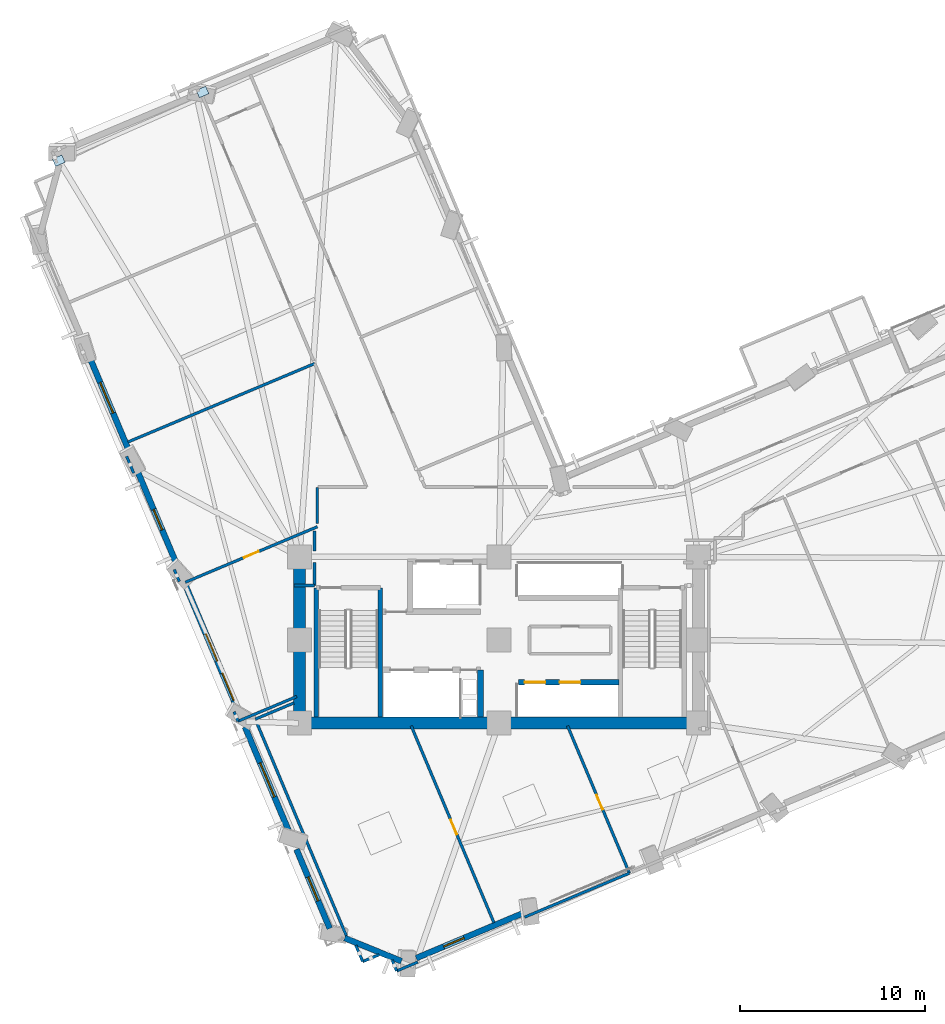
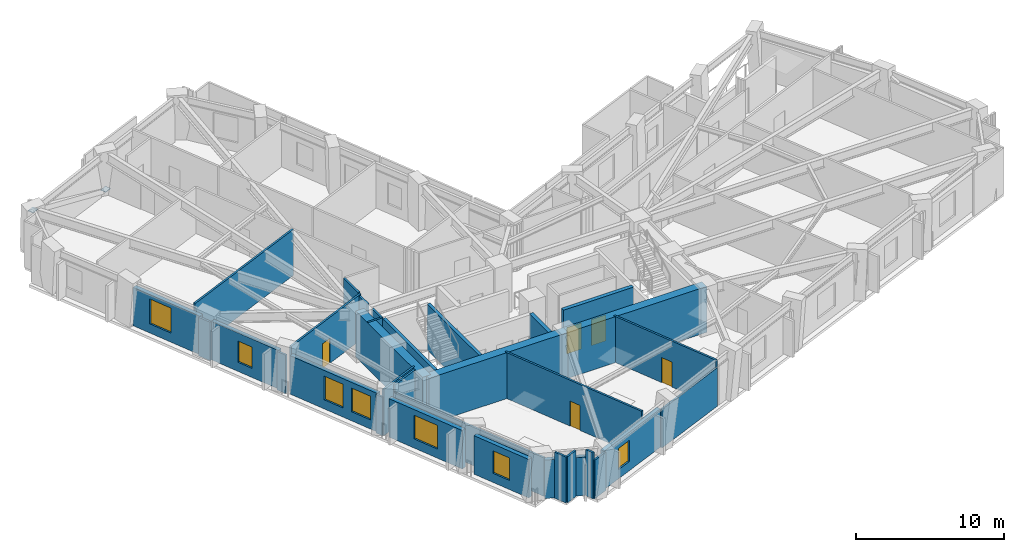
# One storey, part 10 of 18: 33 walls, 7 windows, 5 doors, 2 plates, 12 openings.
"""IFC4 building model written with IfcOpenShell, lengths in metres."""

from ifc_helpers import new_model, si_unit, direction, frame, frame_2d, origin, origin_2d, place, context, subcontext, project, spatial, rectangle, extrude, material, layer, layer_set, type_object, element, fill, save


model = new_model("IFC4")

# Units and contexts
model_context = context("Model", 3, precision=1e-05, world=origin(), true_north=direction((0.0, 1.0)))
body_context = subcontext(model_context, "Body", "Model", "MODEL_VIEW")
ifc_project = project(units=[si_unit("LENGTHUNIT", "METRE"), si_unit("AREAUNIT", "SQUARE_METRE"), si_unit("VOLUMEUNIT", "CUBIC_METRE"), si_unit("PLANEANGLEUNIT", "RADIAN"), si_unit("MASSUNIT", "GRAM", prefix="KILO")], contexts=[model_context])

# Site, building, storey
site_placement = place(None, origin())
site = spatial("IfcSite", under=ifc_project, at=site_placement, CompositionType="ELEMENT")
building_placement = place(site_placement, origin())
building = spatial("IfcBuilding", under=site, at=building_placement, Name="Gaonmaruhae Medical Tower", CompositionType="ELEMENT")
storey_placement = place(building_placement, frame((0.0, 0.0, 120.39990234375)))
storey = spatial("IfcBuildingStorey", under=building, at=storey_placement, Name="L28", CompositionType="ELEMENT", Elevation=120.39990234375)

# Plates
ifc_material_1 = material(Name="Steel HSA650 (650 MPa)", Category="steel")
ifc_layer_1 = layer(ifc_material_1, 0.028076171875)
ifc_layer_set_1 = layer_set([ifc_layer_1], Name="Steel HSA650 (650 MPa)")
plate_type = type_object("IfcPlateType", Name="GP-02 Tube Brace End Cap Gusset Plate", PredefinedType="USERDEFINED", material=ifc_layer_set_1)
for number, where, z_axis, x_axis, name in (
    (1, (8.757568359375, 41.96435546875, 0.23583984375), (0.0, 0.0, 1.0), (0.921863151589, 0.387515586452, 0.0), "L28 Gusset Cap Plate PLT-L28-PBR-N02A"),
    (2, (0.970703125, 38.24755859375, 3.51611328125), (0.0, 0.0, 1.0), (0.915311479119, 0.402746689859, 0.0), "L28 Gusset Cap Plate PLT-L28-PBR-N02B"),
):
    element("IfcPlate", number, at=place(storey_placement, frame(where, z_axis=z_axis, x_axis=x_axis)), inside=storey, type_object=plate_type, Name=name, ObjectType="GUSSET_PLATE", PredefinedType="USERDEFINED", context=body_context, shape_type="SweptSolid", body=[
        extrude(rectangle(XDim=0.56005859375, YDim=0.43994140625, at=origin_2d()), origin(), (0.0, 0.0, 1.0), 0.028076171875),
    ])

# Walls
ifc_material_2 = material(Name="Concrete C60/75", Category="concrete")
ifc_layer_2 = layer(ifc_material_2, 0.64990234375)
ifc_layer_set_2 = layer_set([ifc_layer_2], Name="Concrete C60/75")
wall_type_1 = type_object("IfcWallType", Name="CW-650 Zone 2 Core Shear Wall", PredefinedType="SHEAR", material=ifc_layer_set_2)
for number, where, z_axis, x_axis, name in (
    (3, (14.0, 7.800048828125, 0.0), (0.0, 0.0, 1.0), (1.0, 0.0, 0.0), "L28 Core Shear Wall CSW-S1"),
    (4, (24.800048828125, 7.800048828125, 0.0), (0.0, 0.0, 1.0), (1.0, 0.0, 0.0), "L28 Core Shear Wall CSW-S2"),
):
    element("IfcWall", number, at=place(storey_placement, frame(where, z_axis=z_axis, x_axis=x_axis)), inside=storey, type_object=wall_type_1, Name=name, PredefinedType="SHEAR", context=body_context, shape_type="SweptSolid", body=[
        extrude(rectangle(XDim=10.800048828125, YDim=0.64990234375, at=frame_2d((5.39990234375, 0.0))), origin(), (0.0, 0.0, 1.0), 3.780029296875),
    ])
wall_1_placement = place(storey_placement, frame((14.0, 16.800048828125, 0.0), z_axis=(0.0, 0.0, 1.0), x_axis=(0.0, -1.0, 0.0)))
element("IfcWall", 5, at=wall_1_placement, inside=storey, type_object=wall_type_1, Name="L28 Core Shear Wall CSW-W1", PredefinedType="SHEAR", context=body_context, shape_type="SweptSolid", body=[
    extrude(rectangle(XDim=9.0, YDim=0.64990234375, at=frame_2d((4.5, 0.0))), origin(), (0.0, 0.0, 1.0), 3.780029296875),
])

# Wall, opening, window
ifc_material_3 = material(Name="Precast concrete C45/55", Category="concrete")
ifc_layer_3 = layer(ifc_material_3, 0.320068359375)
ifc_layer_set_3 = layer_set([ifc_layer_3], Name="Precast concrete C45/55")
wall_type_2 = type_object("IfcWallType", Name="EW-320 Lower Precast Masonry-Frame Facade Wall", PredefinedType="SOLIDWALL", material=ifc_layer_set_3)
wall_2_placement = place(storey_placement, frame((26.0986328125, -2.489013671875, 0.0), z_axis=(0.0, 0.0, 1.0), x_axis=(-0.921849986863, -0.387546902608, 0.0)))
wall_2 = element("IfcWall", 6, at=wall_2_placement, inside=storey, type_object=wall_type_2, Name="L28 Precast Masonry-Frame Wall S01-S02", PredefinedType="SOLIDWALL", context=body_context, shape_type="SweptSolid", body=[
    extrude(rectangle(XDim=6.27001953125, YDim=0.320068359375, at=frame_2d((3.135009765625, 0.0))), origin(), (0.0, 0.0, 1.0), 3.1650390625),
])
opening_1_placement = place(wall_2_placement, frame((3.45166015625, 0.0, 0.75)))
opening_1 = element("IfcOpeningElement", 7, at=opening_1_placement, cuts=wall_2, Name="Opening WN-05", PredefinedType="OPENING", context=body_context, shape_type="SweptSolid", body=[
    extrude(rectangle(XDim=1.199951171875, YDim=1.75, at=frame_2d((0.60009765625, 0.875))), frame((0.0, 0.169921875, 0.0), z_axis=(0.0, -1.0, 0.0), x_axis=(1.0, 0.0, 0.0)), (0.0, 0.0, 1.0), 0.340087890625),
])
ifc_material_4 = material(Name="Anodised aluminium and Low-E double glazing", Category="aluminium")
window_type_1 = type_object("IfcWindowType", Name="WN-05 Support & Staff Punched Window 1200x1750", PartitioningType="SINGLE_PANEL", PredefinedType="WINDOW", material=ifc_material_4)
window_1_placement = place(opening_1_placement, origin())
window_1 = element("IfcWindow", 8, at=window_1_placement, inside=storey, type_object=window_type_1, Name="L28 Modular Facade Window S01", OverallHeight=1.75, OverallWidth=1.199951171875, PartitioningType="SINGLE_PANEL", PredefinedType="WINDOW", context=body_context, shape_type="SweptSolid", body=[
    extrude(rectangle(XDim=1.199951171875, YDim=1.75, at=frame_2d((0.60009765625, 0.875))), frame((0.0, 0.030029296875, 0.0), z_axis=(0.0, -1.0, 0.0), x_axis=(1.0, 0.0, 0.0)), (0.0, 0.0, 1.0), 0.06005859375),
])
fill(opening_1, window_1)

wall_3_placement = place(storey_placement, frame((4.860107421875, 22.33349609375, 0.0), z_axis=(0.0, 0.0, 1.0), x_axis=(-0.387490609288, 0.921873650623, 0.0)))
wall_3 = element("IfcWall", 9, at=wall_3_placement, inside=storey, type_object=wall_type_2, Name="L28 Precast Masonry-Frame Wall W02-W03", PredefinedType="SOLIDWALL", context=body_context, shape_type="SweptSolid", body=[
    extrude(rectangle(XDim=5.627685546875, YDim=0.320068359375, at=frame_2d((2.81396484375, 0.0))), origin(), (0.0, 0.0, 1.0), 3.1650390625),
])
opening_2_placement = place(wall_3_placement, frame((2.438232421875, 0.0, 0.75)))
opening_2 = element("IfcOpeningElement", 10, at=opening_2_placement, cuts=wall_3, Name="Opening WN-04", PredefinedType="OPENING", context=body_context, shape_type="SweptSolid", body=[
    extrude(rectangle(XDim=1.800048828125, YDim=2.050048828125, at=frame_2d((0.89990234375, 1.02490234375))), frame((0.0, 0.169921875, 0.0), z_axis=(0.0, -1.0, 0.0), x_axis=(1.0, 0.0, 0.0)), (0.0, 0.0, 1.0), 0.340087890625),
])
window_type_2 = type_object("IfcWindowType", Name="WN-04 Clinic & Consult Punched Window 1800x2050", PartitioningType="SINGLE_PANEL", PredefinedType="WINDOW", material=ifc_material_4)
window_2_placement = place(opening_2_placement, origin())
window_2 = element("IfcWindow", 11, at=window_2_placement, inside=storey, type_object=window_type_2, Name="L28 Modular Facade Window W02", OverallHeight=2.050048828125, OverallWidth=1.800048828125, PartitioningType="SINGLE_PANEL", PredefinedType="WINDOW", context=body_context, shape_type="SweptSolid", body=[
    extrude(rectangle(XDim=1.800048828125, YDim=2.050048828125, at=frame_2d((0.89990234375, 1.02490234375))), frame((0.0, 0.030029296875, 0.0), z_axis=(0.0, -1.0, 0.0), x_axis=(1.0, 0.0, 0.0)), (0.0, 0.0, 1.0), 0.06005859375),
])
fill(opening_2, window_2)

wall_4_placement = place(storey_placement, frame((7.435302734375, 16.207763671875, 0.0), z_axis=(0.0, 0.0, 1.0), x_axis=(-0.387540340387, 0.921852745601, 0.0)))
wall_4 = element("IfcWall", 12, at=wall_4_placement, inside=storey, type_object=wall_type_2, Name="L28 Precast Masonry-Frame Wall W03-W04", PredefinedType="SOLIDWALL", context=body_context, shape_type="SweptSolid", body=[
    extrude(rectangle(XDim=5.662109375, YDim=0.320068359375, at=frame_2d((2.8310546875, 0.0))), origin(), (0.0, 0.0, 1.0), 3.1650390625),
])
opening_3_placement = place(wall_4_placement, frame((2.22998046875, 0.0, 0.75)))
opening_3 = element("IfcOpeningElement", 13, at=opening_3_placement, cuts=wall_4, Name="Opening WN-05", PredefinedType="OPENING", context=body_context, shape_type="SweptSolid", body=[
    extrude(rectangle(XDim=1.199951171875, YDim=1.75, at=frame_2d((0.60009765625, 0.875))), frame((0.0, 0.169921875, 0.0), z_axis=(0.0, -1.0, 0.0), x_axis=(1.0, 0.0, 0.0)), (0.0, 0.0, 1.0), 0.340087890625),
])
window_3_placement = place(opening_3_placement, origin())
window_3 = element("IfcWindow", 14, at=window_3_placement, inside=storey, type_object=window_type_1, Name="L28 Modular Facade Window W03", OverallHeight=1.75, OverallWidth=1.199951171875, PartitioningType="SINGLE_PANEL", PredefinedType="WINDOW", context=body_context, shape_type="SweptSolid", body=[
    extrude(rectangle(XDim=1.199951171875, YDim=1.75, at=frame_2d((0.60009765625, 0.875))), frame((0.0, 0.030029296875, 0.0), z_axis=(0.0, -1.0, 0.0), x_axis=(1.0, 0.0, 0.0)), (0.0, 0.0, 1.0), 0.06005859375),
])
fill(opening_3, window_3)

# Wall, openings, windows
wall_5_placement = place(storey_placement, frame((10.671875, 8.508056640625, 0.0), z_axis=(0.0, 0.0, 1.0), x_axis=(-0.387524577065, 0.921859372231, 0.0)))
wall_5 = element("IfcWall", 15, at=wall_5_placement, inside=storey, type_object=wall_type_2, Name="L28 Precast Masonry-Frame Wall W04-W05", PredefinedType="SOLIDWALL", context=body_context, shape_type="SweptSolid", body=[
    extrude(rectangle(XDim=7.3603515625, YDim=0.320068359375, at=frame_2d((3.68017578125, 0.0))), origin(), (0.0, 0.0, 1.0), 3.1650390625),
])
opening_4_placement = place(wall_5_placement, frame((2.880859375, 0.0, 0.75)))
opening_4 = element("IfcOpeningElement", 16, at=opening_4_placement, cuts=wall_5, Name="Opening WN-01", PredefinedType="OPENING", context=body_context, shape_type="SweptSolid", body=[
    extrude(rectangle(XDim=1.60009765625, YDim=1.949951171875, at=frame_2d((0.800048828125, 0.97509765625))), frame((0.0, 0.169921875, 0.0), z_axis=(0.0, -1.0, 0.0), x_axis=(1.0, 0.0, 0.0)), (0.0, 0.0, 1.0), 0.340087890625),
])
opening_5_placement = place(wall_5_placement, frame((0.576171875, 0.0, 0.75)))
opening_5 = element("IfcOpeningElement", 17, at=opening_5_placement, cuts=wall_5, Name="Opening WN-01", PredefinedType="OPENING", context=body_context, shape_type="SweptSolid", body=[
    extrude(rectangle(XDim=1.60009765625, YDim=1.949951171875, at=frame_2d((0.800048828125, 0.97509765625))), frame((0.0, 0.169921875, 0.0), z_axis=(0.0, -1.0, 0.0), x_axis=(1.0, 0.0, 0.0)), (0.0, 0.0, 1.0), 0.340087890625),
])
window_type_3 = type_object("IfcWindowType", Name="WN-01 Ward Punched Acoustic Window 1600x1950", PartitioningType="SINGLE_PANEL", PredefinedType="WINDOW", material=ifc_material_4)
window_4_placement = place(opening_4_placement, origin())
window_4 = element("IfcWindow", 18, at=window_4_placement, inside=storey, type_object=window_type_3, Name="L28 Modular Facade Window W04", OverallHeight=1.949951171875, OverallWidth=1.60009765625, PartitioningType="SINGLE_PANEL", PredefinedType="WINDOW", context=body_context, shape_type="SweptSolid", body=[
    extrude(rectangle(XDim=1.60009765625, YDim=1.949951171875, at=frame_2d((0.800048828125, 0.97509765625))), frame((0.0, 0.030029296875, 0.0), z_axis=(0.0, -1.0, 0.0), x_axis=(1.0, 0.0, 0.0)), (0.0, 0.0, 1.0), 0.06005859375),
])
fill(opening_4, window_4)
window_5_placement = place(opening_5_placement, origin())
window_5 = element("IfcWindow", 19, at=window_5_placement, inside=storey, type_object=window_type_3, Name="L28 Modular Facade Window W04B", OverallHeight=1.949951171875, OverallWidth=1.60009765625, PartitioningType="SINGLE_PANEL", PredefinedType="WINDOW", context=body_context, shape_type="SweptSolid", body=[
    extrude(rectangle(XDim=1.60009765625, YDim=1.949951171875, at=frame_2d((0.800048828125, 0.97509765625))), frame((0.0, 0.030029296875, 0.0), z_axis=(0.0, -1.0, 0.0), x_axis=(1.0, 0.0, 0.0)), (0.0, 0.0, 1.0), 0.06005859375),
])
fill(opening_5, window_5)

# Wall, opening, window
wall_6_placement = place(storey_placement, frame((13.4658203125, 1.861572265625, 0.0), z_axis=(0.0, 0.0, 1.0), x_axis=(-0.387499238031, 0.921870023661, 0.0)))
wall_6 = element("IfcWall", 20, at=wall_6_placement, inside=storey, type_object=wall_type_2, Name="L28 Precast Masonry-Frame Wall W05-W06", PredefinedType="SOLIDWALL", context=body_context, shape_type="SweptSolid", body=[
    extrude(rectangle(XDim=6.2236328125, YDim=0.320068359375, at=frame_2d((3.11181640625, 0.0))), origin(), (0.0, 0.0, 1.0), 3.1650390625),
])
opening_6_placement = place(wall_6_placement, frame((2.1142578125, 0.0, 0.75)))
opening_6 = element("IfcOpeningElement", 21, at=opening_6_placement, cuts=wall_6, Name="Opening WN-02", PredefinedType="OPENING", context=body_context, shape_type="SweptSolid", body=[
    extrude(rectangle(XDim=2.0, YDim=1.949951171875, at=frame_2d((1.0, 0.97509765625))), frame((0.0, 0.169921875, 0.0), z_axis=(0.0, -1.0, 0.0), x_axis=(1.0, 0.0, 0.0)), (0.0, 0.0, 1.0), 0.340087890625),
])
window_type_4 = type_object("IfcWindowType", Name="WN-02 Double-Bed Ward Punched Window 2000x1950", PartitioningType="SINGLE_PANEL", PredefinedType="WINDOW", material=ifc_material_4)
window_6_placement = place(opening_6_placement, origin())
window_6 = element("IfcWindow", 22, at=window_6_placement, inside=storey, type_object=window_type_4, Name="L28 Modular Facade Window W05", OverallHeight=1.949951171875, OverallWidth=2.0, PartitioningType="SINGLE_PANEL", PredefinedType="WINDOW", context=body_context, shape_type="SweptSolid", body=[
    extrude(rectangle(XDim=2.0, YDim=1.949951171875, at=frame_2d((1.0, 0.97509765625))), frame((0.0, 0.030029296875, 0.0), z_axis=(0.0, -1.0, 0.0), x_axis=(1.0, 0.0, 0.0)), (0.0, 0.0, 1.0), 0.06005859375),
])
fill(opening_6, window_6)

wall_7_placement = place(storey_placement, frame((15.640869140625, -3.31298828125, 0.0), z_axis=(0.0, 0.0, 1.0), x_axis=(-0.387474499501, 0.921880421875, 0.0)))
wall_7 = element("IfcWall", 23, at=wall_7_placement, inside=storey, type_object=wall_type_2, Name="L28 Precast Masonry-Frame Wall W06-W07", PredefinedType="SOLIDWALL", context=body_context, shape_type="SweptSolid", body=[
    extrude(rectangle(XDim=4.6474609375, YDim=0.320068359375, at=frame_2d((2.32373046875, 0.0))), origin(), (0.0, 0.0, 1.0), 3.1650390625),
])
opening_7_placement = place(wall_7_placement, frame((1.626953125, 0.0, 0.75)))
opening_7 = element("IfcOpeningElement", 24, at=opening_7_placement, cuts=wall_7, Name="Opening WN-03", PredefinedType="OPENING", context=body_context, shape_type="SweptSolid", body=[
    extrude(rectangle(XDim=1.39990234375, YDim=1.85009765625, at=frame_2d((0.699951171875, 0.925048828125))), frame((0.0, 0.169921875, 0.0), z_axis=(0.0, -1.0, 0.0), x_axis=(1.0, 0.0, 0.0)), (0.0, 0.0, 1.0), 0.340087890625),
])
window_type_5 = type_object("IfcWindowType", Name="WN-03 Isolation Ward Punched Window 1400x1850", PartitioningType="SINGLE_PANEL", PredefinedType="WINDOW", material=ifc_material_4)
window_7_placement = place(opening_7_placement, origin())
window_7 = element("IfcWindow", 25, at=window_7_placement, inside=storey, type_object=window_type_5, Name="L28 Modular Facade Window W06", OverallHeight=1.85009765625, OverallWidth=1.39990234375, PartitioningType="SINGLE_PANEL", PredefinedType="WINDOW", context=body_context, shape_type="SweptSolid", body=[
    extrude(rectangle(XDim=1.39990234375, YDim=1.85009765625, at=frame_2d((0.699951171875, 0.925048828125))), frame((0.0, 0.030029296875, 0.0), z_axis=(0.0, -1.0, 0.0), x_axis=(1.0, 0.0, 0.0)), (0.0, 0.0, 1.0), 0.06005859375),
])
fill(opening_7, window_7)

# Walls
wall_8_placement = place(storey_placement, frame((19.522705078125, -5.082763671875, 0.0), z_axis=(0.0, 0.0, 1.0), x_axis=(-0.925854463758, 0.377880287843, 0.0)))
element("IfcWall", 26, at=wall_8_placement, inside=storey, type_object=wall_type_2, Name="L28 Precast Masonry-Frame Wall W07-S01", PredefinedType="SOLIDWALL", context=body_context, shape_type="SweptSolid", body=[
    extrude(rectangle(XDim=3.32275390625, YDim=0.320068359375, at=frame_2d((1.661376953125, 0.0))), origin(), (0.0, 0.0, 1.0), 3.1650390625),
])
ifc_material_5 = material(Name="Gypsum board partition", Category="gypsum")
ifc_layer_4 = layer(ifc_material_5, 0.14990234375)
ifc_layer_set_4 = layer_set([ifc_layer_4], Name="Gypsum board partition")
wall_type_3 = type_object("IfcWallType", Name="PW-150 Rated Clinical Corridor Partition", PredefinedType="PARTITIONING", material=ifc_layer_set_4)
wall_9_placement = place(storey_placement, frame((17.425048828125, -5.10498046875, 0.0), z_axis=(0.0, 0.0, 1.0), x_axis=(-0.387920442053, 0.921692861336, 0.0)))
element("IfcWall", 27, at=wall_9_placement, inside=storey, type_object=wall_type_3, Name="L28 Interior Partition L28-SUP01-5", PredefinedType="PARTITIONING", context=body_context, shape_type="SweptSolid", body=[
    extrude(rectangle(XDim=0.959228515625, YDim=0.14990234375, at=frame_2d((0.4794921875, 0.0))), origin(), (0.0, 0.0, 1.0), 3.780029296875),
])
wall_10_placement = place(storey_placement, frame((16.544921875, -3.721923828125, 0.0), z_axis=(0.0, 0.0, 1.0), x_axis=(-0.387528098658, 0.921857891841, 0.0)))
element("IfcWall", 28, at=wall_10_placement, inside=storey, type_object=wall_type_3, Name="L28 Interior Partition L28-SUP01-6", PredefinedType="PARTITIONING", context=body_context, shape_type="SweptSolid", body=[
    extrude(rectangle(XDim=12.734130859375, YDim=0.14990234375, at=frame_2d((6.3671875, 0.0))), origin(), (0.0, 0.0, 1.0), 3.1650390625),
])
wall_11_placement = place(storey_placement, frame((11.610107421875, 8.01708984375, 0.0), z_axis=(0.0, 0.0, 1.0), x_axis=(0.921797458045, 0.38767182815, 0.0)))
element("IfcWall", 29, at=wall_11_placement, inside=storey, type_object=wall_type_3, Name="L28 Interior Partition L28-SUP01-7", PredefinedType="PARTITIONING", context=body_context, shape_type="SweptSolid", body=[
    extrude(rectangle(XDim=2.26708984375, YDim=0.14990234375, at=frame_2d((1.133544921875, 0.0))), origin(), (0.0, 0.0, 1.0), 3.780029296875),
])

# Wall, opening, door
wall_12_placement = place(storey_placement, frame((20.051025390625, 7.652099609375, 0.0), z_axis=(0.0, 0.0, 1.0), x_axis=(0.387477050982, -0.921879349461, 0.0)))
wall_12 = element("IfcWall", 30, at=wall_12_placement, inside=storey, type_object=wall_type_3, Name="L28 Interior Partition L28-SUP01-8", PredefinedType="PARTITIONING", context=body_context, shape_type="SweptSolid", body=[
    extrude(rectangle(XDim=11.556884765625, YDim=0.14990234375, at=frame_2d((5.7783203125, 0.0))), origin(), (0.0, 0.0, 1.0), 3.780029296875),
])
opening_8_placement = place(wall_12_placement, frame((5.511474609375, 0.0, 0.0)))
opening_8 = element("IfcOpeningElement", 31, at=opening_8_placement, cuts=wall_12, Name="Opening AD-01", PredefinedType="OPENING", context=body_context, shape_type="SweptSolid", body=[
    extrude(rectangle(XDim=0.860107421875, YDim=2.06005859375, at=frame_2d((0.43017578125, 1.030029296875))), frame((0.0, 0.0849609375, 0.0), z_axis=(0.0, -1.0, 0.0), x_axis=(1.0, 0.0, 0.0)), (0.0, 0.0, 1.0), 0.169921875),
])
ifc_material_6 = material(Name="Powder-coated steel access door", Category="steel")
door_type_1 = type_object("IfcDoorType", Name="AD-01 Riser & Closet Access Fire Door 860x2060", OperationType="NOTDEFINED", PredefinedType="DOOR", material=ifc_material_6)
door_1_placement = place(opening_8_placement, origin())
door_1 = element("IfcDoor", 32, at=door_1_placement, inside=storey, type_object=door_type_1, Name="L28 Clinical Biomedical Charting Office Sliding Door", OperationType="SLIDING_TO_LEFT", OverallHeight=2.06005859375, OverallWidth=0.860107421875, PredefinedType="DOOR", context=body_context, shape_type="SweptSolid", body=[
    extrude(rectangle(XDim=0.860107421875, YDim=2.06005859375, at=frame_2d((0.43017578125, 1.030029296875))), frame((0.0, 0.02490234375, 0.0), z_axis=(0.0, -1.0, 0.0), x_axis=(1.0, 0.0, 0.0)), (0.0, 0.0, 1.0), 0.050048828125),
])
fill(opening_8, door_1)

# Walls
wall_13_placement = place(storey_placement, frame((20.407958984375, -5.131103515625, 0.0), z_axis=(0.0, 0.0, 1.0), x_axis=(-0.922013037842, -0.387158827936, 0.0)))
element("IfcWall", 33, at=wall_13_placement, inside=storey, type_object=wall_type_3, Name="L28 Interior Partition L28-SUP01-9", PredefinedType="PARTITIONING", context=body_context, shape_type="SweptSolid", body=[
    extrude(rectangle(XDim=1.23974609375, YDim=0.14990234375, at=frame_2d((0.619873046875, 0.0))), origin(), (0.0, 0.0, 1.0), 3.1650390625),
])
wall_14_placement = place(storey_placement, frame((19.264892578125, -5.611083984375, 0.0), z_axis=(0.0, 0.0, 1.0), x_axis=(-0.386433051013, 0.922317460035, 0.0)))
element("IfcWall", 34, at=wall_14_placement, inside=storey, type_object=wall_type_3, Name="L28 Interior Partition L28-SUP01-10", PredefinedType="PARTITIONING", context=body_context, shape_type="SweptSolid", body=[
    extrude(rectangle(XDim=0.638671875, YDim=0.14990234375, at=frame_2d((0.3193359375, 0.0))), origin(), (0.0, 0.0, 1.0), 3.780029296875),
])
wall_15_placement = place(storey_placement, frame((18.31005859375, -4.73291015625, 0.0), z_axis=(0.0, 0.0, 1.0), x_axis=(-0.921845861532, -0.387556715303, 0.0)))
element("IfcWall", 35, at=wall_15_placement, inside=storey, type_object=wall_type_3, Name="L28 Interior Partition L28-SUP01-11", PredefinedType="PARTITIONING", context=body_context, shape_type="SweptSolid", body=[
    extrude(rectangle(XDim=0.9599609375, YDim=0.14990234375, at=frame_2d((0.47998046875, 0.0))), origin(), (0.0, 0.0, 1.0), 3.780029296875),
])
wall_16_placement = place(storey_placement, frame((31.862060546875, -0.31591796875, 0.0), z_axis=(0.0, 0.0, 1.0), x_axis=(-0.921871891621, -0.387494794081, 0.0)))
element("IfcWall", 36, at=wall_16_placement, inside=storey, type_object=wall_type_3, Name="L28 Interior Partition L28-SUP02-12", PredefinedType="PARTITIONING", context=body_context, shape_type="SweptSolid", body=[
    extrude(rectangle(XDim=6.155029296875, YDim=0.14990234375, at=frame_2d((3.07763671875, 0.0))), origin(), (0.0, 0.0, 1.0), 3.1650390625),
])

# Wall, opening, door
wall_17_placement = place(storey_placement, frame((28.511962890625, 7.653076171875, 0.0), z_axis=(0.0, 0.0, 1.0), x_axis=(0.387539276189, -0.921853192982, 0.0)))
wall_17 = element("IfcWall", 37, at=wall_17_placement, inside=storey, type_object=wall_type_3, Name="L28 Interior Partition L28-SUP02-13", PredefinedType="PARTITIONING", context=body_context, shape_type="SweptSolid", body=[
    extrude(rectangle(XDim=8.64453125, YDim=0.14990234375, at=frame_2d((4.322265625, 0.0))), origin(), (0.0, 0.0, 1.0), 3.780029296875),
])
opening_9_placement = place(wall_17_placement, frame((4.0546875, 0.0, 0.0)))
opening_9 = element("IfcOpeningElement", 38, at=opening_9_placement, cuts=wall_17, Name="Opening AD-01", PredefinedType="OPENING", context=body_context, shape_type="SweptSolid", body=[
    extrude(rectangle(XDim=0.860107421875, YDim=2.06005859375, at=frame_2d((0.43017578125, 1.030029296875))), frame((0.0, 0.0849609375, 0.0), z_axis=(0.0, -1.0, 0.0), x_axis=(1.0, 0.0, 0.0)), (0.0, 0.0, 1.0), 0.169921875),
])
door_2_placement = place(opening_9_placement, origin())
door_2 = element("IfcDoor", 39, at=door_2_placement, inside=storey, type_object=door_type_1, Name="L28 Clinical Biomedical Charting Office Sliding Door", OperationType="SLIDING_TO_LEFT", OverallHeight=2.06005859375, OverallWidth=0.860107421875, PredefinedType="DOOR", context=body_context, shape_type="SweptSolid", body=[
    extrude(rectangle(XDim=0.860107421875, YDim=2.06005859375, at=frame_2d((0.43017578125, 1.030029296875))), frame((0.0, 0.02490234375, 0.0), z_axis=(0.0, -1.0, 0.0), x_axis=(1.0, 0.0, 0.0)), (0.0, 0.0, 1.0), 0.050048828125),
])
fill(opening_9, door_2)

# Walls
wall_18_placement = place(storey_placement, frame((14.820068359375, 18.199951171875, 0.0), z_axis=(0.0, 0.0, 1.0), x_axis=(0.0, -1.0, 0.0)))
element("IfcWall", 40, at=wall_18_placement, inside=storey, type_object=wall_type_3, Name="L28 Interior Partition L28-WOF07-37", PredefinedType="PARTITIONING", context=body_context, shape_type="SweptSolid", body=[
    extrude(rectangle(XDim=1.091064453125, YDim=0.14990234375, at=frame_2d((0.54541015625, 0.0))), origin(), (0.0, 0.0, 1.0), 3.780029296875),
])
wall_19_placement = place(storey_placement, frame((14.820068359375, 16.490966796875, 0.0), z_axis=(0.0, 0.0, 1.0), x_axis=(0.0, -1.0, 0.0)))
element("IfcWall", 41, at=wall_19_placement, inside=storey, type_object=wall_type_3, Name="L28 Interior Partition L28-WOF07-38", PredefinedType="PARTITIONING", context=body_context, shape_type="SweptSolid", body=[
    extrude(rectangle(XDim=1.23095703125, YDim=0.14990234375, at=frame_2d((0.615478515625, 0.0))), origin(), (0.0, 0.0, 1.0), 3.780029296875),
])
wall_20_placement = place(storey_placement, frame((14.820068359375, 15.260009765625, 0.0), z_axis=(0.0, 0.0, 1.0), x_axis=(-1.0, 0.0, 0.0)))
element("IfcWall", 42, at=wall_20_placement, inside=storey, type_object=wall_type_3, Name="L28 Interior Partition L28-WOF07-39", PredefinedType="PARTITIONING", context=body_context, shape_type="SweptSolid", body=[
    extrude(rectangle(XDim=1.1201171875, YDim=0.14990234375, at=frame_2d((0.56005859375, 0.0))), origin(), (0.0, 0.0, 1.0), 3.780029296875),
])
wall_21_placement = place(storey_placement, frame((13.85302734375, 9.241943359375, 0.0), z_axis=(0.0, 0.0, 1.0), x_axis=(-0.921859178331, -0.387525038321, 0.0)))
element("IfcWall", 43, at=wall_21_placement, inside=storey, type_object=wall_type_3, Name="L28 Interior Partition L28-WOF07-40", PredefinedType="PARTITIONING", context=body_context, shape_type="SweptSolid", body=[
    extrude(rectangle(XDim=3.447265625, YDim=0.14990234375, at=frame_2d((1.7236328125, 0.0))), origin(), (0.0, 0.0, 1.0), 3.780029296875),
])
wall_22_placement = place(storey_placement, frame((10.675048828125, 7.906005859375, 0.0), z_axis=(0.0, 0.0, 1.0), x_axis=(-0.386702592906, 0.922204480926, 0.0)))
element("IfcWall", 44, at=wall_22_placement, inside=storey, type_object=wall_type_3, Name="L28 Interior Partition L28-WOF07-41", PredefinedType="PARTITIONING", context=body_context, shape_type="SweptSolid", body=[
    extrude(rectangle(XDim=0.55615234375, YDim=0.14990234375, at=frame_2d((0.278076171875, 0.0))), origin(), (0.0, 0.0, 1.0), 3.1650390625),
])

# Wall, opening, door
wall_23_placement = place(storey_placement, frame((7.822021484375, 15.427978515625, 0.0), z_axis=(0.0, 0.0, 1.0), x_axis=(0.921844455802, 0.387560058968, 0.0)))
wall_23 = element("IfcWall", 45, at=wall_23_placement, inside=storey, type_object=wall_type_3, Name="L28 Interior Partition L28-WOF07-42", PredefinedType="PARTITIONING", context=body_context, shape_type="SweptSolid", body=[
    extrude(rectangle(XDim=7.75390625, YDim=0.14990234375, at=frame_2d((3.876953125, 0.0))), origin(), (0.0, 0.0, 1.0), 3.780029296875),
])
opening_10_placement = place(wall_23_placement, frame((3.447021484375, 0.0, 0.0)))
opening_10 = element("IfcOpeningElement", 46, at=opening_10_placement, cuts=wall_23, Name="Opening AD-01", PredefinedType="OPENING", context=body_context, shape_type="SweptSolid", body=[
    extrude(rectangle(XDim=0.860107421875, YDim=2.06005859375, at=frame_2d((0.43017578125, 1.030029296875))), frame((0.0, 0.0849609375, 0.0), z_axis=(0.0, -1.0, 0.0), x_axis=(1.0, 0.0, 0.0)), (0.0, 0.0, 1.0), 0.169921875),
])
door_3_placement = place(opening_10_placement, origin())
door_3 = element("IfcDoor", 47, at=door_3_placement, inside=storey, type_object=door_type_1, Name="L28 Ward Physician Reporting Office Sliding Door", OperationType="SLIDING_TO_LEFT", OverallHeight=2.06005859375, OverallWidth=0.860107421875, PredefinedType="DOOR", context=body_context, shape_type="SweptSolid", body=[
    extrude(rectangle(XDim=0.860107421875, YDim=2.06005859375, at=frame_2d((0.43017578125, 1.030029296875))), frame((0.0, 0.02490234375, 0.0), z_axis=(0.0, -1.0, 0.0), x_axis=(1.0, 0.0, 0.0)), (0.0, 0.0, 1.0), 0.050048828125),
])
fill(opening_10, door_3)

# Walls
wall_24_placement = place(storey_placement, frame((14.969970703125, 20.550048828125, 0.0), z_axis=(0.0, 0.0, 1.0), x_axis=(0.0, -1.0, 0.0)))
element("IfcWall", 48, at=wall_24_placement, inside=storey, type_object=wall_type_3, Name="L28 Interior Partition L28-WOF08-43", PredefinedType="PARTITIONING", context=body_context, shape_type="SweptSolid", body=[
    extrude(rectangle(XDim=1.943115234375, YDim=0.14990234375, at=frame_2d((0.9716796875, 0.0))), origin(), (0.0, 0.0, 1.0), 3.780029296875),
])
wall_25_placement = place(storey_placement, frame((7.498046875, 15.466064453125, 0.0), z_axis=(0.0, 0.0, 1.0), x_axis=(-0.386915874997, 0.922115017596, 0.0)))
element("IfcWall", 49, at=wall_25_placement, inside=storey, type_object=wall_type_3, Name="L28 Interior Partition L28-WOF08-44", PredefinedType="PARTITIONING", context=body_context, shape_type="SweptSolid", body=[
    extrude(rectangle(XDim=0.7080078125, YDim=0.14990234375, at=frame_2d((0.35400390625, 0.0))), origin(), (0.0, 0.0, 1.0), 3.1650390625),
])
wall_26_placement = place(storey_placement, frame((5.029052734375, 21.337890625, 0.0), z_axis=(0.0, 0.0, 1.0), x_axis=(-0.38773494757, 0.921770909951, 0.0)))
element("IfcWall", 50, at=wall_26_placement, inside=storey, type_object=wall_type_3, Name="L28 Interior Partition L28-WOF08-45", PredefinedType="PARTITIONING", context=body_context, shape_type="SweptSolid", body=[
    extrude(rectangle(XDim=0.98291015625, YDim=0.14990234375, at=frame_2d((0.491455078125, 0.0))), origin(), (0.0, 0.0, 1.0), 3.1650390625),
])
wall_27_placement = place(storey_placement, frame((4.718994140625, 23.01904296875, 0.0), z_axis=(0.0, 0.0, 1.0), x_axis=(0.921861546859, 0.387519403931, 0.0)))
element("IfcWall", 51, at=wall_27_placement, inside=storey, type_object=wall_type_3, Name="L28 Interior Partition L28-WOF08-46", PredefinedType="PARTITIONING", context=body_context, shape_type="SweptSolid", body=[
    extrude(rectangle(XDim=10.964599609375, YDim=0.14990234375, at=frame_2d((5.482421875, 0.0))), origin(), (0.0, 0.0, 1.0), 3.780029296875),
])
ifc_material_7 = material(Name="Concrete C50/60", Category="concrete")
ifc_layer_5 = layer(ifc_material_7, 0.239990234375)
ifc_layer_set_5 = layer_set([ifc_layer_5], Name="Concrete C50/60")
wall_type_4 = type_object("IfcWallType", Name="SW-240 Dogleg Stair Tight Shaft Wall", PredefinedType="SOLIDWALL", material=ifc_layer_set_5)
for number, where, z_axis, x_axis, name in (
    (52, (18.3798828125, 15.1201171875, 0.0), (0.0, 0.0, 1.0), (0.0, -1.0, 0.0), "L28 ST-01 Stair Shaft Wall SHW-ST-01-E"),
    (53, (14.919921875, 8.125, 0.0), (0.0, 0.0, 1.0), (0.0, 1.0, 0.0), "L28 ST-01 Stair Shaft Wall SHW-ST-01-W"),
):
    element("IfcWall", number, at=place(storey_placement, frame(where, z_axis=z_axis, x_axis=x_axis)), inside=storey, type_object=wall_type_4, Name=name, PredefinedType="SOLIDWALL", context=body_context, shape_type="SweptSolid", body=[
        extrude(rectangle(XDim=6.9951171875, YDim=0.239990234375, at=frame_2d((3.49755859375, 0.0))), origin(), (0.0, 0.0, 1.0), 3.780029296875),
    ])
ifc_layer_6 = layer(ifc_material_7, 0.300048828125)
ifc_layer_set_6 = layer_set([ifc_layer_6], Name="Concrete C50/60")
wall_type_5 = type_object("IfcWallType", Name="SW-300 Stair & Lift Hoistway Shaft Wall", PredefinedType="SOLIDWALL", material=ifc_layer_set_6)
wall_28_placement = place(storey_placement, frame((23.800048828125, 8.125, 0.0), z_axis=(0.0, 0.0, 1.0), x_axis=(0.0, 1.0, 0.0)))
element("IfcWall", 54, at=wall_28_placement, inside=storey, type_object=wall_type_5, Name="L28 Shaft Enclosure Wall SHW-FFE", PredefinedType="SOLIDWALL", context=body_context, shape_type="SweptSolid", body=[
    extrude(rectangle(XDim=2.554931640625, YDim=0.300048828125, at=frame_2d((1.27734375, 0.0))), origin(), (0.0, 0.0, 1.0), 3.780029296875),
])

# Wall, openings, doors
wall_29_placement = place(storey_placement, frame((25.85009765625, 10.02001953125, 0.0), z_axis=(0.0, 0.0, 1.0), x_axis=(1.0, 0.0, 0.0)))
wall_29 = element("IfcWall", 55, at=wall_29_placement, inside=storey, type_object=wall_type_5, Name="L28 Shaft Enclosure Wall SHW-PLS", PredefinedType="SOLIDWALL", context=body_context, shape_type="SweptSolid", body=[
    extrude(rectangle(XDim=5.449951171875, YDim=0.300048828125, at=frame_2d((2.72509765625, 0.0))), origin(), (0.0, 0.0, 1.0), 3.780029296875),
])
opening_11_placement = place(wall_29_placement, frame((0.340087890625, 0.0, 0.0)))
opening_11 = element("IfcOpeningElement", 56, at=opening_11_placement, cuts=wall_29, Name="Opening LD-P1", PredefinedType="OPENING", context=body_context, shape_type="SweptSolid", body=[
    extrude(rectangle(XDim=1.1201171875, YDim=2.14990234375, at=frame_2d((0.56005859375, 1.074951171875))), frame((0.0, 0.16015625, 0.0), z_axis=(0.0, -1.0, 0.0), x_axis=(1.0, 0.0, 0.0)), (0.0, 0.0, 1.0), 0.320068359375),
])
opening_12_placement = place(wall_29_placement, frame((2.239990234375, 0.0, 0.0)))
opening_12 = element("IfcOpeningElement", 57, at=opening_12_placement, cuts=wall_29, Name="Opening LD-P1", PredefinedType="OPENING", context=body_context, shape_type="SweptSolid", body=[
    extrude(rectangle(XDim=1.1201171875, YDim=2.14990234375, at=frame_2d((0.56005859375, 1.074951171875))), frame((0.0, 0.16015625, 0.0), z_axis=(0.0, -1.0, 0.0), x_axis=(1.0, 0.0, 0.0)), (0.0, 0.0, 1.0), 0.320068359375),
])
ifc_material_8 = material(Name="Brushed stainless steel 304 landing door", Category="steel")
door_type_2 = type_object("IfcDoorType", Name="LD-P1 Passenger Lift Sliding Landing Door 1120x2150", OperationType="NOTDEFINED", PredefinedType="DOOR", material=ifc_material_8)
door_4_placement = place(opening_11_placement, origin())
door_4 = element("IfcDoor", 58, at=door_4_placement, inside=storey, type_object=door_type_2, Name="L28 Passenger Lift Landing Door PL-L1", OperationType="DOUBLE_DOOR_SLIDING", OverallHeight=2.14990234375, OverallWidth=1.1201171875, PredefinedType="DOOR", context=body_context, shape_type="SweptSolid", body=[
    extrude(rectangle(XDim=1.1201171875, YDim=2.14990234375, at=frame_2d((0.56005859375, 1.074951171875))), frame((0.0, 0.02490234375, 0.0), z_axis=(0.0, -1.0, 0.0), x_axis=(1.0, 0.0, 0.0)), (0.0, 0.0, 1.0), 0.050048828125),
])
fill(opening_11, door_4)
door_5_placement = place(opening_12_placement, origin())
door_5 = element("IfcDoor", 59, at=door_5_placement, inside=storey, type_object=door_type_2, Name="L28 Passenger Lift Landing Door PL-L2", OperationType="DOUBLE_DOOR_SLIDING", OverallHeight=2.14990234375, OverallWidth=1.1201171875, PredefinedType="DOOR", context=body_context, shape_type="SweptSolid", body=[
    extrude(rectangle(XDim=1.1201171875, YDim=2.14990234375, at=frame_2d((0.56005859375, 1.074951171875))), frame((0.0, 0.02490234375, 0.0), z_axis=(0.0, -1.0, 0.0), x_axis=(1.0, 0.0, 0.0)), (0.0, 0.0, 1.0), 0.050048828125),
])
fill(opening_12, door_5)

save(model, "model.ifc")
